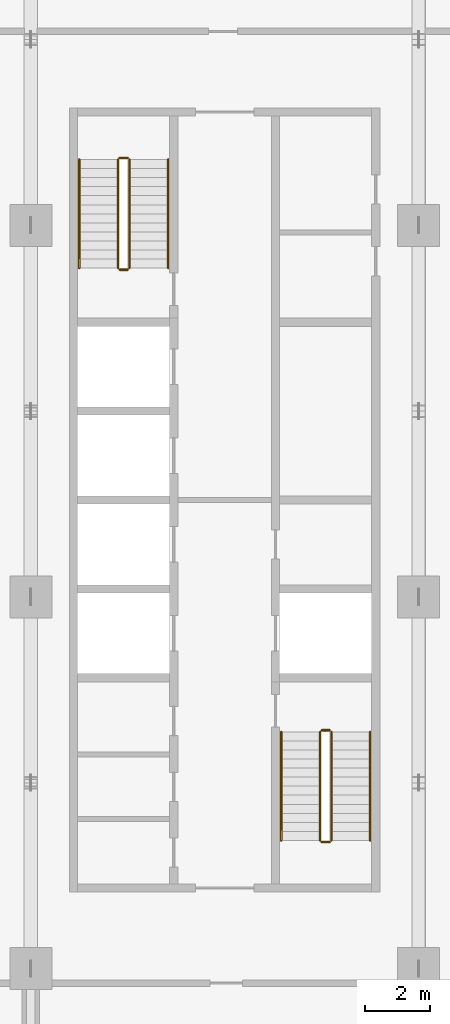
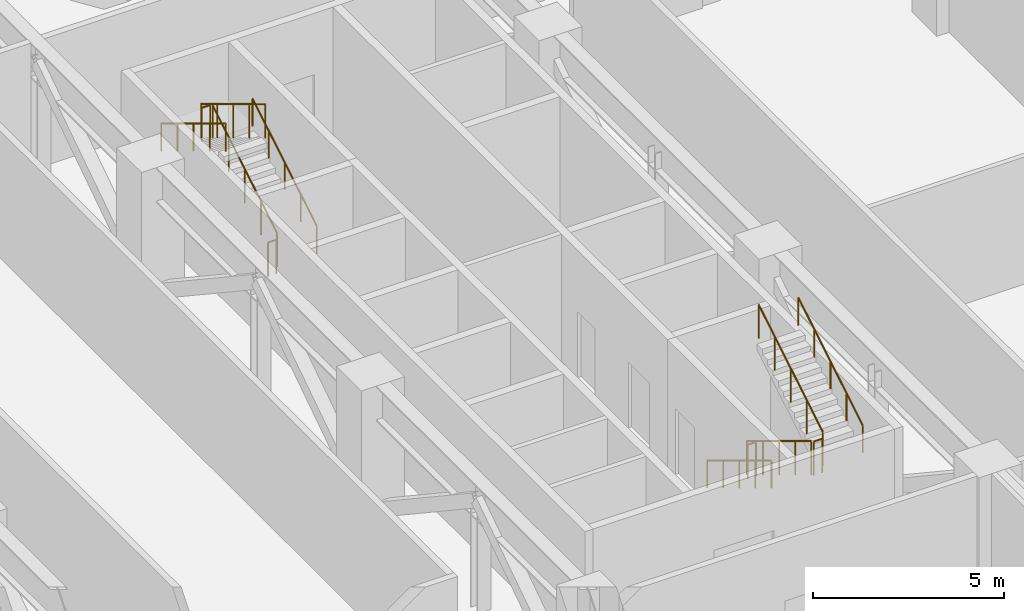
# One storey, part 29 of 30: 12 railings.
"""IFC4 building model written with IfcOpenShell, lengths in metres."""

from ifc_helpers import new_model, si_unit, direction, frame, origin, origin_2d, place, context, subcontext, project, spatial, circle, extrude, material, type_object, element, save


model = new_model("IFC4")

# Units and contexts
model_context = context("Model", 3, precision=1e-05, world=origin(), true_north=direction((0.0, 1.0)))
body_context = subcontext(model_context, "Body", "Model", "MODEL_VIEW")
ifc_project = project(units=[si_unit("LENGTHUNIT", "METRE"), si_unit("AREAUNIT", "SQUARE_METRE"), si_unit("VOLUMEUNIT", "CUBIC_METRE"), si_unit("PLANEANGLEUNIT", "RADIAN"), si_unit("MASSUNIT", "GRAM", prefix="KILO")], contexts=[model_context])

# Site, building, storey
site_placement = place(None, origin())
site = spatial("IfcSite", under=ifc_project, at=site_placement, CompositionType="ELEMENT")
building_placement = place(site_placement, origin())
building = spatial("IfcBuilding", under=site, at=building_placement, Name="Mahtab Terrace Research Tower", CompositionType="ELEMENT")
storey_placement = place(building_placement, frame((0.0, 0.0, 154.800048828125)))
storey = spatial("IfcBuildingStorey", under=building, at=storey_placement, Name="L36", CompositionType="ELEMENT", Elevation=154.800048828125)

# Railings
ifc_material = material(Name="Stainless steel AISI 304", Category="steel")
railing_type_1 = type_object("IfcRailingType", Name="Stair guard 1100", PredefinedType="GUARDRAIL", material=ifc_material)
railing_1_placement = place(storey_placement, frame((21.050048828125, 10.175048828125, 0.169189453125)))
element("IfcRailing", 1, at=railing_1_placement, inside=storey, type_object=railing_type_1, Name="L36 ST3 stair guard 1", PredefinedType="GUARDRAIL", context=body_context, shape_type="SweptSolid", body=[
    extrude(circle(Radius=0.02392578125, at=origin_2d()), frame((0.0, 0.0, 1.076171875), z_axis=(0.0, 0.855820338506, 0.51727318527), x_axis=(-1.0, 0.0, 0.0)), (0.0, 0.0, 1.0), 3.92578125),
    extrude(circle(Radius=0.02099609375, at=origin_2d()), origin(), (0.0, 0.0, 1.0), 1.052001953125),
    extrude(circle(Radius=0.02099609375, at=origin_2d()), frame((0.0, 0.83984375, 0.5078125)), (0.0, 0.0, 1.0), 1.052001953125),
    extrude(circle(Radius=0.02099609375, at=origin_2d()), frame((0.0, 1.679931640625, 1.015380859375)), (0.0, 0.0, 1.0), 1.052001953125),
    extrude(circle(Radius=0.02099609375, at=origin_2d()), frame((0.0, 2.52001953125, 1.52294921875)), (0.0, 0.0, 1.0), 1.052001953125),
    extrude(circle(Radius=0.02099609375, at=origin_2d()), frame((0.0, 3.35986328125, 2.03076171875)), (0.0, 0.0, 1.0), 1.052001953125),
])
railing_2_placement = place(storey_placement, frame((21.0, 13.5849609375, 2.199951171875)))
element("IfcRailing", 2, at=railing_2_placement, inside=storey, type_object=railing_type_1, Name="L36 ST3 stair guard 2", PredefinedType="GUARDRAIL", context=body_context, shape_type="SweptSolid", body=[
    extrude(circle(Radius=0.02392578125, at=origin_2d()), frame((0.0, 0.0, 1.076171875), z_axis=(-1.0, 0.0, 0.0), x_axis=(0.0, -1.0, 0.0)), (0.0, 0.0, 1.0), 0.25),
    extrude(circle(Radius=0.02099609375, at=origin_2d()), origin(), (0.0, 0.0, 1.0), 1.052001953125),
    extrude(circle(Radius=0.02099609375, at=origin_2d()), frame((-0.25, 0.0, 0.0)), (0.0, 0.0, 1.0), 1.052001953125),
])
railing_3_placement = place(storey_placement, frame((20.699951171875, 13.534912109375, 2.369140625)))
element("IfcRailing", 3, at=railing_3_placement, inside=storey, type_object=railing_type_1, Name="L36 ST3 stair guard 3", PredefinedType="GUARDRAIL", context=body_context, shape_type="SweptSolid", body=[
    extrude(circle(Radius=0.02392578125, at=origin_2d()), frame((0.0, 0.0, 1.076171875), z_axis=(0.0, -0.855820338506, 0.51727318527), x_axis=(1.0, 0.0, 0.0)), (0.0, 0.0, 1.0), 3.92578125),
    extrude(circle(Radius=0.02099609375, at=origin_2d()), origin(), (0.0, 0.0, 1.0), 1.052001953125),
    extrude(circle(Radius=0.02099609375, at=origin_2d()), frame((0.0, -0.83984375, 0.5078125)), (0.0, 0.0, 1.0), 1.052001953125),
    extrude(circle(Radius=0.02099609375, at=origin_2d()), frame((0.0, -1.679931640625, 1.015380859375)), (0.0, 0.0, 1.0), 1.052001953125),
    extrude(circle(Radius=0.02099609375, at=origin_2d()), frame((0.0, -2.52001953125, 1.52294921875)), (0.0, 0.0, 1.0), 1.052001953125),
    extrude(circle(Radius=0.02099609375, at=origin_2d()), frame((0.0, -3.35986328125, 2.03076171875)), (0.0, 0.0, 1.0), 1.052001953125),
])
railing_4_placement = place(storey_placement, frame((21.0, 10.125, 0.0)))
element("IfcRailing", 4, at=railing_4_placement, inside=storey, type_object=railing_type_1, Name="L36 ST3 stair guard 4", PredefinedType="GUARDRAIL", context=body_context, shape_type="SweptSolid", body=[
    extrude(circle(Radius=0.02392578125, at=origin_2d()), frame((0.0, 0.0, 1.076171875), z_axis=(-1.0, 0.0, 0.0), x_axis=(0.0, -1.0, 0.0)), (0.0, 0.0, 1.0), 0.25),
    extrude(circle(Radius=0.02099609375, at=origin_2d()), origin(), (0.0, 0.0, 1.0), 1.052001953125),
    extrude(circle(Radius=0.02099609375, at=origin_2d()), frame((-0.25, 0.0, 0.0)), (0.0, 0.0, 1.0), 1.052001953125),
])
railing_5_placement = place(storey_placement, frame((26.949951171875, -4.175048828125, 0.169189453125)))
element("IfcRailing", 5, at=railing_5_placement, inside=storey, type_object=railing_type_1, Name="L36 ST4 stair guard 1", PredefinedType="GUARDRAIL", context=body_context, shape_type="SweptSolid", body=[
    extrude(circle(Radius=0.02392578125, at=origin_2d()), frame((0.0, 0.0, 1.076171875), z_axis=(0.0, -0.855820338506, 0.51727318527), x_axis=(1.0, 0.0, 0.0)), (0.0, 0.0, 1.0), 3.92578125),
    extrude(circle(Radius=0.02099609375, at=origin_2d()), origin(), (0.0, 0.0, 1.0), 1.052001953125),
    extrude(circle(Radius=0.02099609375, at=origin_2d()), frame((0.0, -0.83984375, 0.5078125)), (0.0, 0.0, 1.0), 1.052001953125),
    extrude(circle(Radius=0.02099609375, at=origin_2d()), frame((0.0, -1.679931640625, 1.015380859375)), (0.0, 0.0, 1.0), 1.052001953125),
    extrude(circle(Radius=0.02099609375, at=origin_2d()), frame((0.0, -2.52001953125, 1.52294921875)), (0.0, 0.0, 1.0), 1.052001953125),
    extrude(circle(Radius=0.02099609375, at=origin_2d()), frame((0.0, -3.35986328125, 2.03076171875)), (0.0, 0.0, 1.0), 1.052001953125),
])
railing_6_placement = place(storey_placement, frame((27.0, -7.5849609375, 2.199951171875)))
element("IfcRailing", 6, at=railing_6_placement, inside=storey, type_object=railing_type_1, Name="L36 ST4 stair guard 2", PredefinedType="GUARDRAIL", context=body_context, shape_type="SweptSolid", body=[
    extrude(circle(Radius=0.02392578125, at=origin_2d()), frame((0.0, 0.0, 1.076171875), z_axis=(1.0, 0.0, 0.0), x_axis=(0.0, 1.0, 0.0)), (0.0, 0.0, 1.0), 0.25),
    extrude(circle(Radius=0.02099609375, at=origin_2d()), origin(), (0.0, 0.0, 1.0), 1.052001953125),
    extrude(circle(Radius=0.02099609375, at=origin_2d()), frame((0.25, 0.0, 0.0)), (0.0, 0.0, 1.0), 1.052001953125),
])
railing_7_placement = place(storey_placement, frame((27.300048828125, -7.534912109375, 2.369140625)))
element("IfcRailing", 7, at=railing_7_placement, inside=storey, type_object=railing_type_1, Name="L36 ST4 stair guard 3", PredefinedType="GUARDRAIL", context=body_context, shape_type="SweptSolid", body=[
    extrude(circle(Radius=0.02392578125, at=origin_2d()), frame((0.0, 0.0, 1.076171875), z_axis=(0.0, 0.855820338506, 0.51727318527), x_axis=(-1.0, 0.0, 0.0)), (0.0, 0.0, 1.0), 3.92578125),
    extrude(circle(Radius=0.02099609375, at=origin_2d()), origin(), (0.0, 0.0, 1.0), 1.052001953125),
    extrude(circle(Radius=0.02099609375, at=origin_2d()), frame((0.0, 0.83984375, 0.5078125)), (0.0, 0.0, 1.0), 1.052001953125),
    extrude(circle(Radius=0.02099609375, at=origin_2d()), frame((0.0, 1.679931640625, 1.015380859375)), (0.0, 0.0, 1.0), 1.052001953125),
    extrude(circle(Radius=0.02099609375, at=origin_2d()), frame((0.0, 2.52001953125, 1.52294921875)), (0.0, 0.0, 1.0), 1.052001953125),
    extrude(circle(Radius=0.02099609375, at=origin_2d()), frame((0.0, 3.35986328125, 2.03076171875)), (0.0, 0.0, 1.0), 1.052001953125),
])
railing_8_placement = place(storey_placement, frame((27.0, -4.125, 0.0)))
element("IfcRailing", 8, at=railing_8_placement, inside=storey, type_object=railing_type_1, Name="L36 ST4 stair guard 4", PredefinedType="GUARDRAIL", context=body_context, shape_type="SweptSolid", body=[
    extrude(circle(Radius=0.02392578125, at=origin_2d()), frame((0.0, 0.0, 1.076171875), z_axis=(1.0, 0.0, 0.0), x_axis=(0.0, 1.0, 0.0)), (0.0, 0.0, 1.0), 0.25),
    extrude(circle(Radius=0.02099609375, at=origin_2d()), origin(), (0.0, 0.0, 1.0), 1.052001953125),
    extrude(circle(Radius=0.02099609375, at=origin_2d()), frame((0.25, 0.0, 0.0)), (0.0, 0.0, 1.0), 1.052001953125),
])
railing_type_2 = type_object("IfcRailingType", Name="Stair handrail 900", PredefinedType="HANDRAIL", material=ifc_material)
railing_9_placement = place(storey_placement, frame((22.25, 10.175048828125, 0.169189453125)))
element("IfcRailing", 9, at=railing_9_placement, inside=storey, type_object=railing_type_2, Name="L36 ST3 stair handrail 1", PredefinedType="HANDRAIL", context=body_context, shape_type="SweptSolid", body=[
    extrude(circle(Radius=0.02392578125, at=origin_2d()), frame((0.0, 0.0, 0.8759765625), z_axis=(0.0, 0.855820338506, 0.51727318527), x_axis=(-1.0, 0.0, 0.0)), (0.0, 0.0, 1.0), 3.92578125),
    extrude(circle(Radius=0.02099609375, at=origin_2d()), origin(), (0.0, 0.0, 1.0), 0.851806640625),
    extrude(circle(Radius=0.02099609375, at=origin_2d()), frame((0.0, 0.83984375, 0.5078125)), (0.0, 0.0, 1.0), 0.851806640625),
    extrude(circle(Radius=0.02099609375, at=origin_2d()), frame((0.0, 1.679931640625, 1.015380859375)), (0.0, 0.0, 1.0), 0.851806640625),
    extrude(circle(Radius=0.02099609375, at=origin_2d()), frame((0.0, 2.52001953125, 1.52294921875)), (0.0, 0.0, 1.0), 0.851806640625),
    extrude(circle(Radius=0.02099609375, at=origin_2d()), frame((0.0, 3.35986328125, 2.03076171875)), (0.0, 0.0, 1.0), 0.851806640625),
])
for number, where, name in (
    (10, (19.5, 13.534912109375, 2.369140625), "L36 ST3 stair handrail 2"),
    (11, (25.75, -4.175048828125, 0.169189453125), "L36 ST4 stair handrail 1"),
):
    element("IfcRailing", number, at=place(storey_placement, frame(where)), inside=storey, type_object=railing_type_2, Name=name, PredefinedType="HANDRAIL", context=body_context, shape_type="SweptSolid", body=[
        extrude(circle(Radius=0.02392578125, at=origin_2d()), frame((0.0, 0.0, 0.8759765625), z_axis=(0.0, -0.855820338506, 0.51727318527), x_axis=(1.0, 0.0, 0.0)), (0.0, 0.0, 1.0), 3.92578125),
        extrude(circle(Radius=0.02099609375, at=origin_2d()), origin(), (0.0, 0.0, 1.0), 0.851806640625),
        extrude(circle(Radius=0.02099609375, at=origin_2d()), frame((0.0, -0.83984375, 0.5078125)), (0.0, 0.0, 1.0), 0.851806640625),
        extrude(circle(Radius=0.02099609375, at=origin_2d()), frame((0.0, -1.679931640625, 1.015380859375)), (0.0, 0.0, 1.0), 0.851806640625),
        extrude(circle(Radius=0.02099609375, at=origin_2d()), frame((0.0, -2.52001953125, 1.52294921875)), (0.0, 0.0, 1.0), 0.851806640625),
        extrude(circle(Radius=0.02099609375, at=origin_2d()), frame((0.0, -3.35986328125, 2.03076171875)), (0.0, 0.0, 1.0), 0.851806640625),
    ])
railing_10_placement = place(storey_placement, frame((28.5, -7.534912109375, 2.369140625)))
element("IfcRailing", 12, at=railing_10_placement, inside=storey, type_object=railing_type_2, Name="L36 ST4 stair handrail 2", PredefinedType="HANDRAIL", context=body_context, shape_type="SweptSolid", body=[
    extrude(circle(Radius=0.02392578125, at=origin_2d()), frame((0.0, 0.0, 0.8759765625), z_axis=(0.0, 0.855820338506, 0.51727318527), x_axis=(-1.0, 0.0, 0.0)), (0.0, 0.0, 1.0), 3.92578125),
    extrude(circle(Radius=0.02099609375, at=origin_2d()), origin(), (0.0, 0.0, 1.0), 0.851806640625),
    extrude(circle(Radius=0.02099609375, at=origin_2d()), frame((0.0, 0.83984375, 0.5078125)), (0.0, 0.0, 1.0), 0.851806640625),
    extrude(circle(Radius=0.02099609375, at=origin_2d()), frame((0.0, 1.679931640625, 1.015380859375)), (0.0, 0.0, 1.0), 0.851806640625),
    extrude(circle(Radius=0.02099609375, at=origin_2d()), frame((0.0, 2.52001953125, 1.52294921875)), (0.0, 0.0, 1.0), 0.851806640625),
    extrude(circle(Radius=0.02099609375, at=origin_2d()), frame((0.0, 3.35986328125, 2.03076171875)), (0.0, 0.0, 1.0), 0.851806640625),
])

save(model, "model.ifc")
